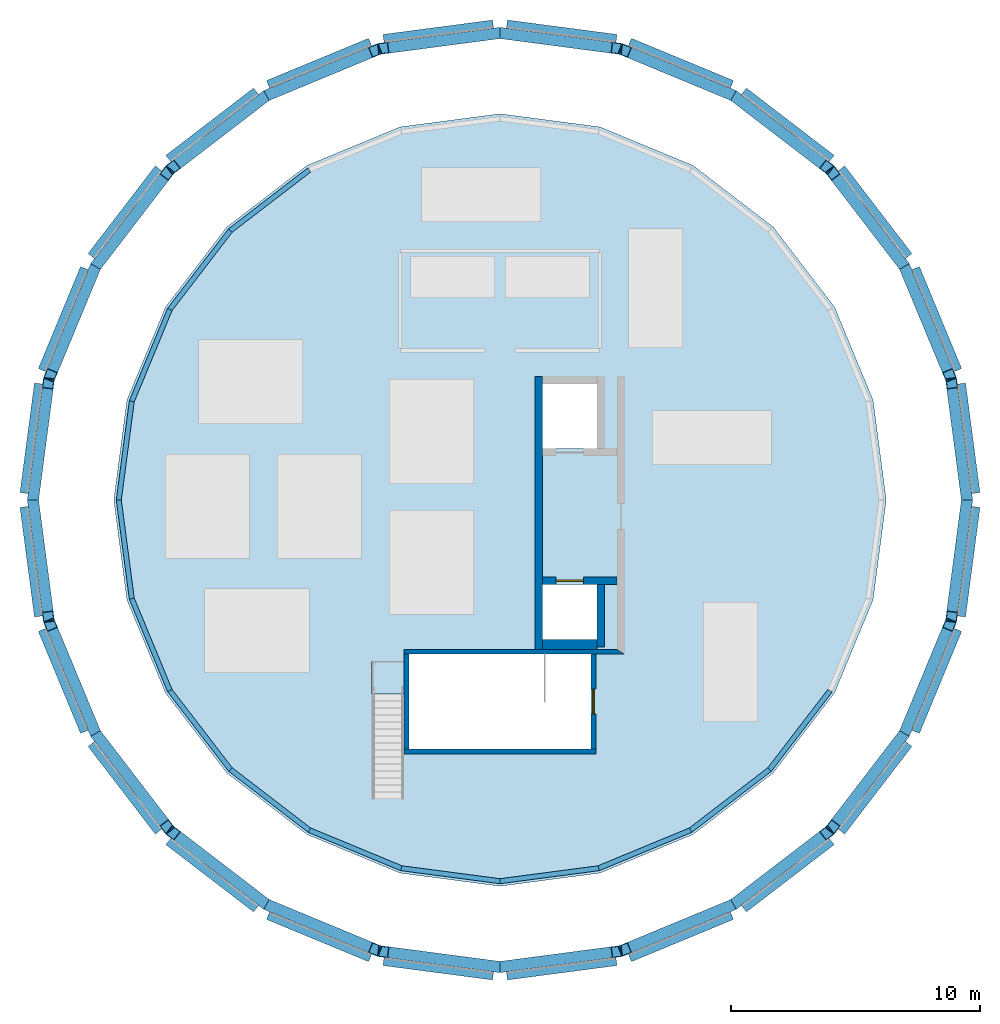
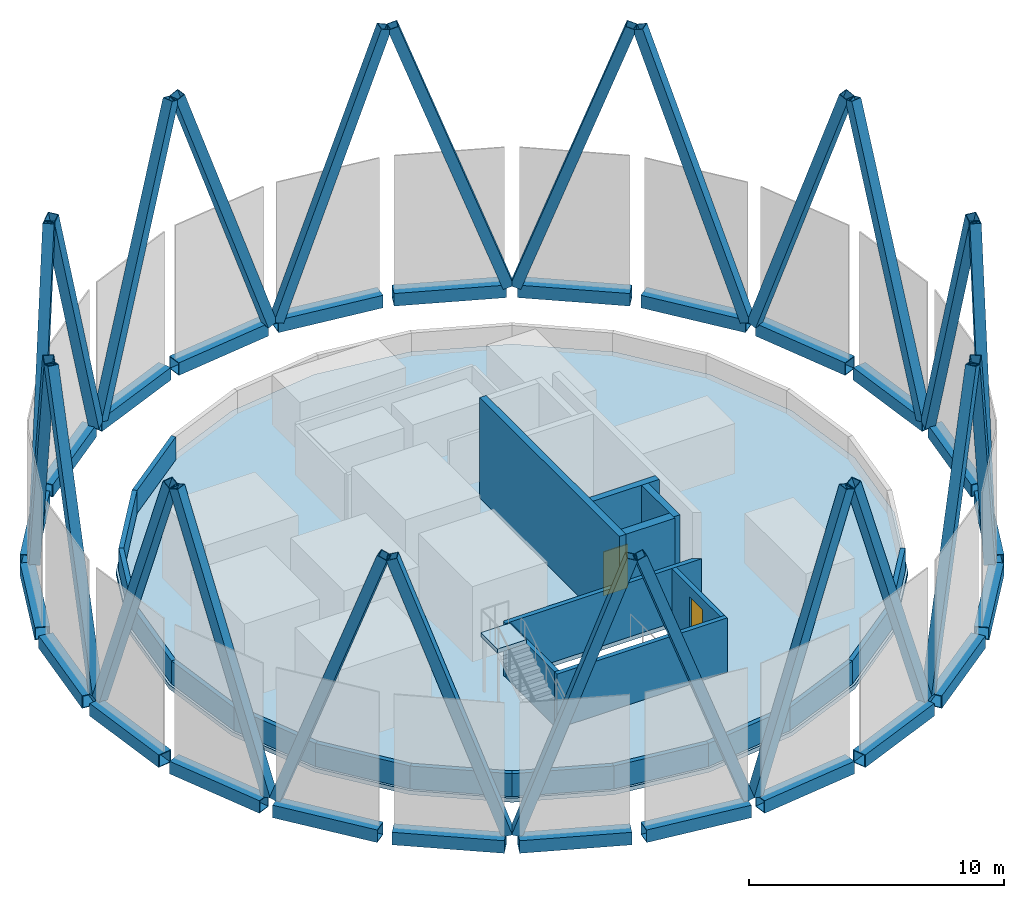
# One storey, part 1 of 4: 24 beams, 24 members, 22 walls, 2 doors, 2 slabs, 2 openings, 1 element without a shape of its own.
"""IFC4 building model written with IfcOpenShell, lengths in metres."""

from ifc_helpers import new_model, si_unit, direction, frame, frame_2d, origin, origin_2d, place, context, subcontext, project, spatial, polyline, rectangle, hollow_rectangle, outline, extrude, source, transform, mapped, material, layer, layer_set, material_profile, profile_set, type_object, element, fill, aggregate, save


model = new_model("IFC4")

# Units and contexts
model_context = context("Model", 3, precision=1e-05, world=origin(), true_north=direction((0.0, 1.0)))
body_context = subcontext(model_context, "Body", "Model", "MODEL_VIEW")
ifc_project = project(units=[si_unit("LENGTHUNIT", "METRE"), si_unit("AREAUNIT", "SQUARE_METRE"), si_unit("VOLUMEUNIT", "CUBIC_METRE"), si_unit("PLANEANGLEUNIT", "RADIAN"), si_unit("MASSUNIT", "GRAM", prefix="KILO")], contexts=[model_context])

# Site, building, storey
site_placement = place(None, origin())
site = spatial("IfcSite", under=ifc_project, at=site_placement, CompositionType="ELEMENT")
building_placement = place(site_placement, origin())
building = spatial("IfcBuilding", under=site, at=building_placement, Name="Triune Harvest Tower", CompositionType="ELEMENT")
storey_placement = place(building_placement, frame((0.0, 0.0, 299.699951171875)))
storey = spatial("IfcBuildingStorey", under=building, at=storey_placement, Name="RF", CompositionType="ELEMENT", Elevation=299.699951171875)

# Beams
ifc_material_1 = material(Name="Steel ASTM A572 Gr 50", Category="steel")
ifc_material_profile_1 = material_profile(ifc_material_1, hollow_rectangle(XDim=0.60009765625, YDim=0.60009765625, WallThickness=0.030029296875, at=origin_2d()), Name="Box 600x600x30")
ifc_profile_set_1 = profile_set([ifc_material_profile_1], Name="Steel ASTM A572 Gr 50")
beam_type = type_object("IfcBeamType", Name="CF-2 Crown frame ring beam Box 600x600x30", PredefinedType="BEAM", material=ifc_profile_set_1)
shared_shape_1 = source(origin(), body_context, "Body", "SweptSolid", [
    extrude(hollow_rectangle(XDim=0.60009765625, YDim=0.60009765625, WallThickness=0.030029296875, at=origin_2d()), origin(), (0.0, 0.0, 1.0), 4.434326171875),
])
for number, where, z_axis, x_axis, name in (
    (1, (18.9658203125, 0.260498046875, 0.300048828125), (-0.130537114439, 0.991443423375, 0.0), (-0.991443423375, -0.130537114439, 0.0), "CROWN FRAME bottom ring beam 1"),
    (2, (16.29443359375, 9.70849609375, 0.300048828125), (-0.608755125753, 0.79335817691, 0.0), (-0.79335817691, -0.608755125753, 0.0), "CROWN FRAME bottom ring beam 3"),
    (3, (13.2265625, 13.594970703125, 0.300048828125), (-0.79335817691, 0.608755125753, 0.0), (-0.608755125753, -0.79335817691, 0.0), "CROWN FRAME bottom ring beam 4"),
    (4, (4.656982421875, 18.386962890625, 0.300048828125), (-0.991443423375, 0.130537114439, 0.0), (-0.130537114439, -0.991443423375, 0.0), "CROWN FRAME bottom ring beam 6"),
    (5, (-0.260498046875, 18.9658203125, 0.300048828125), (-0.991443423375, -0.130537114439, 0.0), (0.130537114439, -0.991443423375, 0.0), "CROWN FRAME bottom ring beam 7"),
    (6, (-9.70849609375, 16.29443359375, 0.300048828125), (-0.79335817691, -0.608755125753, 0.0), (0.608755125753, -0.79335817691, 0.0), "CROWN FRAME bottom ring beam 9"),
    (7, (-13.594970703125, 13.2265625, 0.300048828125), (-0.608755125753, -0.79335817691, 0.0), (0.79335817691, -0.608755125753, 0.0), "CROWN FRAME bottom ring beam 10"),
    (8, (-18.386962890625, 4.656982421875, 0.300048828125), (-0.130537114439, -0.991443423375, 0.0), (0.991443423375, -0.130537114439, 0.0), "CROWN FRAME bottom ring beam 12"),
    (9, (-18.9658203125, -0.260498046875, 0.300048828125), (0.130537114439, -0.991443423375, 0.0), (0.991443423375, 0.130537114439, 0.0), "CROWN FRAME bottom ring beam 13"),
    (10, (-16.29443359375, -9.70849609375, 0.300048828125), (0.608755125753, -0.79335817691, 0.0), (0.79335817691, 0.608755125753, 0.0), "CROWN FRAME bottom ring beam 15"),
    (11, (-13.2265625, -13.594970703125, 0.300048828125), (0.79335817691, -0.608755125753, 0.0), (0.608755125753, 0.79335817691, 0.0), "CROWN FRAME bottom ring beam 16"),
    (12, (-4.656982421875, -18.386962890625, 0.300048828125), (0.991443423375, -0.130537114439, 0.0), (0.130537114439, 0.991443423375, 0.0), "CROWN FRAME bottom ring beam 18"),
    (13, (0.260498046875, -18.9658203125, 0.300048828125), (0.991443423375, 0.130537114439, 0.0), (-0.130537114439, 0.991443423375, 0.0), "CROWN FRAME bottom ring beam 19"),
    (14, (9.70849609375, -16.29443359375, 0.300048828125), (0.79335817691, 0.608755125753, 0.0), (-0.608755125753, 0.79335817691, 0.0), "CROWN FRAME bottom ring beam 21"),
    (15, (13.594970703125, -13.2265625, 0.300048828125), (0.608755125753, 0.79335817691, 0.0), (-0.79335817691, 0.608755125753, 0.0), "CROWN FRAME bottom ring beam 22"),
    (16, (18.386962890625, -4.656982421875, 0.300048828125), (0.130537114439, 0.991443423375, 0.0), (-0.991443423375, 0.130537114439, 0.0), "CROWN FRAME bottom ring beam 24"),
):
    element("IfcBeam", number, at=place(storey_placement, frame(where, z_axis=z_axis, x_axis=x_axis)), inside=storey, type_object=beam_type, Name=name, PredefinedType="BEAM", context=body_context, shape_type="MappedRepresentation", body=[
        mapped(shared_shape_1, transform((0.0, 0.0, 0.0), scale=1.0)),
    ])
shared_shape_2 = source(origin(), body_context, "Body", "SweptSolid", [
    extrude(hollow_rectangle(XDim=0.60009765625, YDim=0.60009765625, WallThickness=0.030029296875, at=origin_2d()), origin(), (0.0, 0.0, 1.0), 4.43408203125),
])
for number, where, z_axis, x_axis, name in (
    (17, (18.251953125, 5.160400390625, 0.300048828125), (-0.382659766273, 0.923889334973, 0.0), (-0.923889334973, -0.382659766273, 0.0), "CROWN FRAME bottom ring beam 2"),
    (18, (9.257080078125, 16.55517578125, 0.300048828125), (-0.923889334973, 0.382659766273, 0.0), (-0.382659766273, -0.923889334973, 0.0), "CROWN FRAME bottom ring beam 5"),
    (19, (-5.160400390625, 18.251953125, 0.300048828125), (-0.923889334973, -0.382659766273, 0.0), (0.382659766273, -0.923889334973, 0.0), "CROWN FRAME bottom ring beam 8"),
    (20, (-16.55517578125, 9.257080078125, 0.300048828125), (-0.382659766273, -0.923889334973, 0.0), (0.923889334973, -0.382659766273, 0.0), "CROWN FRAME bottom ring beam 11"),
    (21, (-18.251953125, -5.160400390625, 0.300048828125), (0.382659766273, -0.923889334973, 0.0), (0.923889334973, 0.382659766273, 0.0), "CROWN FRAME bottom ring beam 14"),
    (22, (-9.257080078125, -16.55517578125, 0.300048828125), (0.923889334973, -0.382659766273, 0.0), (0.382659766273, 0.923889334973, 0.0), "CROWN FRAME bottom ring beam 17"),
    (23, (5.160400390625, -18.251953125, 0.300048828125), (0.923889334973, 0.382659766273, 0.0), (-0.382659766273, 0.923889334973, 0.0), "CROWN FRAME bottom ring beam 20"),
    (24, (16.55517578125, -9.257080078125, 0.300048828125), (0.382659766273, 0.923889334973, 0.0), (-0.923889334973, 0.382659766273, 0.0), "CROWN FRAME bottom ring beam 23"),
):
    element("IfcBeam", number, at=place(storey_placement, frame(where, z_axis=z_axis, x_axis=x_axis)), inside=storey, type_object=beam_type, Name=name, PredefinedType="BEAM", context=body_context, shape_type="MappedRepresentation", body=[
        mapped(shared_shape_2, transform((0.0, 0.0, 0.0), scale=1.0)),
    ])

# Members
ifc_material_2 = material(Name="Steel ASTM A572 Gr 50", Category="steel")
ifc_material_profile_2 = material_profile(ifc_material_2, hollow_rectangle(XDim=0.449951171875, YDim=0.449951171875, WallThickness=0.02490234375, at=origin_2d()), Name="Box 450x450x25")
ifc_profile_set_2 = profile_set([ifc_material_profile_2], Name="Steel ASTM A572 Gr 50")
member_type = type_object("IfcMemberType", Name="CF-4 Crown frame strut Box 450x450x25", PredefinedType="STRUT", material=ifc_profile_set_2)
shared_shape_3 = source(origin(), body_context, "Body", "SweptSolid", [
    extrude(hollow_rectangle(XDim=0.449951171875, YDim=0.449951171875, WallThickness=0.02490234375, at=origin_2d()), origin(), (0.0, 0.0, 1.0), 13.588134765625),
])
for number, where, z_axis, x_axis, name in (
    (25, (18.72119140625, 0.1650390625, 0.60009765625), (-0.043804306871, 0.332718685251, 0.942008205476), (-0.991444452242, -0.130529299847, 0.0), "CROWN FRAME diagonal 1"),
    (26, (16.13037109375, 9.50341796875, 0.60009765625), (-0.204288672939, 0.266240066457, 0.942009747891), (-0.793359838557, -0.60875296021, 0.0), "CROWN FRAME diagonal 3"),
    (27, (13.12109375, 13.3544921875, 13.400146484375), (-0.266240066457, 0.204288672939, -0.942009747891), (-0.60875296021, -0.793359838557, 0.0), "CROWN FRAME diagonal 4"),
    (28, (4.68603515625, 18.1259765625, 13.400146484375), (-0.332718685251, 0.043804306871, -0.942008205476), (-0.130529299847, -0.991444452242, 0.0), "CROWN FRAME diagonal 6"),
    (29, (-0.1650390625, 18.72119140625, 0.60009765625), (-0.332718685251, -0.043804306871, 0.942008205476), (0.130529299847, -0.991444452242, 0.0), "CROWN FRAME diagonal 7"),
    (30, (-9.50341796875, 16.13037109375, 0.60009765625), (-0.266240066457, -0.204288672939, 0.942009747891), (0.60875296021, -0.793359838557, 0.0), "CROWN FRAME diagonal 9"),
    (31, (-13.3544921875, 13.12109375, 13.400146484375), (-0.204288672939, -0.266240066457, -0.942009747891), (0.793359838557, -0.60875296021, 0.0), "CROWN FRAME diagonal 10"),
    (32, (-18.1259765625, 4.68603515625, 13.400146484375), (-0.043804306871, -0.332718685251, -0.942008205476), (0.991444452242, -0.130529299847, 0.0), "CROWN FRAME diagonal 12"),
    (33, (-18.72119140625, -0.1650390625, 0.60009765625), (0.043804306871, -0.332718685251, 0.942008205476), (0.991444452242, 0.130529299847, 0.0), "CROWN FRAME diagonal 13"),
    (34, (-16.13037109375, -9.50341796875, 0.60009765625), (0.204288672939, -0.266240066457, 0.942009747891), (0.793359838557, 0.60875296021, 0.0), "CROWN FRAME diagonal 15"),
    (35, (-13.12109375, -13.3544921875, 13.400146484375), (0.266240066457, -0.204288672939, -0.942009747891), (0.60875296021, 0.793359838557, 0.0), "CROWN FRAME diagonal 16"),
    (36, (-4.68603515625, -18.1259765625, 13.400146484375), (0.332718685251, -0.043804306871, -0.942008205476), (0.130529299847, 0.991444452242, 0.0), "CROWN FRAME diagonal 18"),
    (37, (0.1650390625, -18.72119140625, 0.60009765625), (0.332718685251, 0.043804306871, 0.942008205476), (-0.130529299847, 0.991444452242, 0.0), "CROWN FRAME diagonal 19"),
    (38, (9.50341796875, -16.13037109375, 0.60009765625), (0.266240066457, 0.204288672939, 0.942009747891), (-0.60875296021, 0.793359838557, 0.0), "CROWN FRAME diagonal 21"),
    (39, (13.3544921875, -13.12109375, 13.400146484375), (0.204288672939, 0.266240066457, -0.942009747891), (-0.793359838557, 0.60875296021, 0.0), "CROWN FRAME diagonal 22"),
    (40, (18.1259765625, -4.68603515625, 13.400146484375), (0.043804306871, 0.332718685251, -0.942008205476), (-0.991444452242, 0.130529299847, 0.0), "CROWN FRAME diagonal 24"),
):
    element("IfcMember", number, at=place(storey_placement, frame(where, z_axis=z_axis, x_axis=x_axis)), inside=storey, type_object=member_type, Name=name, PredefinedType="STRUT", context=body_context, shape_type="MappedRepresentation", body=[
        mapped(shared_shape_3, transform((0.0, 0.0, 0.0), scale=1.0)),
    ])
shared_shape_4 = source(origin(), body_context, "Body", "SweptSolid", [
    extrude(hollow_rectangle(XDim=0.449951171875, YDim=0.449951171875, WallThickness=0.02490234375, at=origin_2d()), origin(), (0.0, 0.0, 1.0), 13.587890625),
])
for number, where, z_axis, x_axis, name in (
    (41, (18.04052734375, 5.0048828125, 13.400146484375), (-0.128430994403, 0.310027533356, -0.942012955451), (-0.923865429449, -0.382717478395, 0.0), "CROWN FRAME diagonal 2"),
    (42, (9.217529296875, 16.29541015625, 0.60009765625), (-0.310027533356, 0.128430994403, 0.942012955451), (-0.382717478395, -0.923865429449, 0.0), "CROWN FRAME diagonal 5"),
    (43, (-5.0048828125, 18.04052734375, 13.400146484375), (-0.310027533356, -0.128430994403, -0.942012955451), (0.382717478395, -0.923865429449, 0.0), "CROWN FRAME diagonal 8"),
    (44, (-16.29541015625, 9.217529296875, 0.60009765625), (-0.128430994403, -0.310027533356, 0.942012955451), (0.923865429449, -0.382717478395, 0.0), "CROWN FRAME diagonal 11"),
    (45, (-18.04052734375, -5.0048828125, 13.400146484375), (0.128430994403, -0.310027533356, -0.942012955451), (0.923865429449, 0.382717478395, 0.0), "CROWN FRAME diagonal 14"),
    (46, (-9.217529296875, -16.29541015625, 0.60009765625), (0.310027533356, -0.128430994403, 0.942012955451), (0.382717478395, 0.923865429449, 0.0), "CROWN FRAME diagonal 17"),
    (47, (5.0048828125, -18.04052734375, 13.400146484375), (0.310027533356, 0.128430994403, -0.942012955451), (-0.382717478395, 0.923865429449, 0.0), "CROWN FRAME diagonal 20"),
    (48, (16.29541015625, -9.217529296875, 0.60009765625), (0.128430994403, 0.310027533356, 0.942012955451), (-0.923865429449, 0.382717478395, 0.0), "CROWN FRAME diagonal 23"),
):
    element("IfcMember", number, at=place(storey_placement, frame(where, z_axis=z_axis, x_axis=x_axis)), inside=storey, type_object=member_type, Name=name, PredefinedType="STRUT", context=body_context, shape_type="MappedRepresentation", body=[
        mapped(shared_shape_4, transform((0.0, 0.0, 0.0), scale=1.0)),
    ])

# Slab
ifc_material_3 = material(Name="Concrete 40 MPa", Category="concrete")
ifc_layer_1 = layer(ifc_material_3, 0.199951171875)
ifc_layer_set_1 = layer_set([ifc_layer_1], Name="Concrete 40 MPa")
slab_type_1 = type_object("IfcSlabType", Name="RR-1 roof slab 200", PredefinedType="ROOF", material=ifc_layer_set_1)
slab_1_placement = place(storey_placement, frame((0.0, 0.0, -0.199951171875)))
element("IfcSlab", 49, at=slab_1_placement, inside=storey, type_object=slab_type_1, Name="Crown plant roof slab", PredefinedType="ROOF", context=body_context, shape_type="SweptSolid", body=[
    extrude(outline(polyline([(15.5, 0.0), (14.971923828125, 4.01171875), (13.42333984375, 7.75), (10.960205078125, 10.960205078125), (7.75, 13.42333984375), (4.01171875, 14.971923828125), (0.0, 15.5), (-4.01171875, 14.971923828125), (-7.75, 13.42333984375), (-10.960205078125, 10.960205078125), (-13.42333984375, 7.75), (-14.971923828125, 4.01171875), (-15.5, 0.0), (-14.971923828125, -4.01171875), (-13.42333984375, -7.75), (-10.960205078125, -10.960205078125), (-7.75, -13.42333984375), (-4.01171875, -14.971923828125), (0.0, -15.5), (4.01171875, -14.971923828125), (7.75, -13.42333984375), (10.960205078125, -10.960205078125), (13.42333984375, -7.75), (14.971923828125, -4.01171875), (15.5, 0.0)]), holes=[polyline([(-3.64990234375, -9.989990234375), (3.64990234375, -9.989990234375), (3.64990234375, -6.18994140625), (-3.64990234375, -6.18994140625), (-3.64990234375, -9.989990234375)]), polyline([(3.89990234375, 2.06005859375), (3.89990234375, 4.659912109375), (1.699951171875, 4.659912109375), (1.699951171875, 2.06005859375), (3.89990234375, 2.06005859375)]), polyline([(3.89990234375, -5.590087890625), (3.89990234375, -3.389892578125), (1.699951171875, -3.389892578125), (1.699951171875, -5.590087890625), (3.89990234375, -5.590087890625)])]), origin(), (0.0, 0.0, 1.0), 0.199951171875),
])

# Stair, slab
ifc_material_4 = material(Name="Steel S355", Category="steel")
stair_type = type_object("IfcStairType", Name="Roof access stair 1300 steel", PredefinedType="STRAIGHT_RUN_STAIR", material=ifc_material_4)
stair_placement = place(storey_placement, origin())
stair = element("IfcStair", 50, at=stair_placement, inside=storey, type_object=stair_type, Name="Roof access stair RA-1", PredefinedType="STRAIGHT_RUN_STAIR")
ifc_material_5 = material(Name="Steel S355", Category="steel")
ifc_layer_2 = layer(ifc_material_5, 0.199951171875)
ifc_layer_set_2 = layer_set([ifc_layer_2], Name="Steel S355")
slab_type_2 = type_object("IfcSlabType", Name="Roof access stair landing 200", PredefinedType="LANDING", material=ifc_layer_set_2)
slab_2_placement = place(storey_placement, frame((0.0, 0.0, 2.60009765625)))
slab_2 = element("IfcSlab", 51, at=slab_2_placement, type_object=slab_type_2, Name="RA-1 landing 1", PredefinedType="LANDING", context=body_context, shape_type="SweptSolid", body=[
    extrude(outline(polyline([(-5.14990234375, -7.7900390625), (-3.85009765625, -7.7900390625), (-3.85009765625, -6.489990234375), (-5.14990234375, -6.489990234375), (-5.14990234375, -7.7900390625)])), origin(), (0.0, 0.0, 1.0), 0.199951171875),
])
aggregate(stair, [slab_2])

# Walls
ifc_material_6 = material(Name="Concrete 40 MPa", Category="concrete")
ifc_layer_3 = layer(ifc_material_6, 0.199951171875)
ifc_layer_set_3 = layer_set([ifc_layer_3], Name="Concrete 40 MPa")
wall_type_1 = type_object("IfcWallType", Name="PA-1 parapet 200", PredefinedType="PARAPET", material=ifc_layer_set_3)
wall_1_placement = place(storey_placement, origin())
element("IfcWall", 52, at=wall_1_placement, inside=storey, type_object=wall_type_1, Name="Parapet rf 9", PredefinedType="PARAPET", context=body_context, shape_type="SweptSolid", body=[
    extrude(outline(polyline([(-7.69970703125, 13.336181640625), (-10.888916015625, 10.888916015625), (-10.74609375, 10.74609375), (-7.5986328125, 13.161376953125), (-7.69970703125, 13.336181640625)])), origin(), (0.0, 0.0, 1.0), 1.10009765625),
])
wall_2_placement = place(storey_placement, origin())
element("IfcWall", 53, at=wall_2_placement, inside=storey, type_object=wall_type_1, Name="Parapet rf 10", PredefinedType="PARAPET", context=body_context, shape_type="SweptSolid", body=[
    extrude(outline(polyline([(-10.888916015625, 10.888916015625), (-13.336181640625, 7.69970703125), (-13.161376953125, 7.5986328125), (-10.74609375, 10.74609375), (-10.888916015625, 10.888916015625)])), origin(), (0.0, 0.0, 1.0), 1.10009765625),
])
wall_3_placement = place(storey_placement, origin())
element("IfcWall", 54, at=wall_3_placement, inside=storey, type_object=wall_type_1, Name="Parapet rf 11", PredefinedType="PARAPET", context=body_context, shape_type="SweptSolid", body=[
    extrude(outline(polyline([(-13.336181640625, 7.69970703125), (-14.87451171875, 3.985595703125), (-14.6796875, 3.933349609375), (-13.161376953125, 7.5986328125), (-13.336181640625, 7.69970703125)])), origin(), (0.0, 0.0, 1.0), 1.10009765625),
])
wall_4_placement = place(storey_placement, origin())
element("IfcWall", 55, at=wall_4_placement, inside=storey, type_object=wall_type_1, Name="Parapet rf 12", PredefinedType="PARAPET", context=body_context, shape_type="SweptSolid", body=[
    extrude(outline(polyline([(-14.87451171875, 3.985595703125), (-15.399169921875, 0.0), (-15.197509765625, 0.0), (-14.6796875, 3.933349609375), (-14.87451171875, 3.985595703125)])), origin(), (0.0, 0.0, 1.0), 1.10009765625),
])
wall_5_placement = place(storey_placement, origin())
element("IfcWall", 56, at=wall_5_placement, inside=storey, type_object=wall_type_1, Name="Parapet rf 13", PredefinedType="PARAPET", context=body_context, shape_type="SweptSolid", body=[
    extrude(outline(polyline([(-15.399169921875, 0.0), (-14.87451171875, -3.985595703125), (-14.6796875, -3.933349609375), (-15.197509765625, 0.0), (-15.399169921875, 0.0)])), origin(), (0.0, 0.0, 1.0), 1.10009765625),
])
wall_6_placement = place(storey_placement, origin())
element("IfcWall", 57, at=wall_6_placement, inside=storey, type_object=wall_type_1, Name="Parapet rf 14", PredefinedType="PARAPET", context=body_context, shape_type="SweptSolid", body=[
    extrude(outline(polyline([(-14.87451171875, -3.985595703125), (-13.336181640625, -7.69970703125), (-13.161376953125, -7.5986328125), (-14.6796875, -3.933349609375), (-14.87451171875, -3.985595703125)])), origin(), (0.0, 0.0, 1.0), 1.10009765625),
])
wall_7_placement = place(storey_placement, origin())
element("IfcWall", 58, at=wall_7_placement, inside=storey, type_object=wall_type_1, Name="Parapet rf 15", PredefinedType="PARAPET", context=body_context, shape_type="SweptSolid", body=[
    extrude(outline(polyline([(-13.336181640625, -7.69970703125), (-10.888916015625, -10.888916015625), (-10.74609375, -10.74609375), (-13.161376953125, -7.5986328125), (-13.336181640625, -7.69970703125)])), origin(), (0.0, 0.0, 1.0), 1.10009765625),
])
wall_8_placement = place(storey_placement, origin())
element("IfcWall", 59, at=wall_8_placement, inside=storey, type_object=wall_type_1, Name="Parapet rf 16", PredefinedType="PARAPET", context=body_context, shape_type="SweptSolid", body=[
    extrude(outline(polyline([(-10.888916015625, -10.888916015625), (-7.69970703125, -13.336181640625), (-7.5986328125, -13.161376953125), (-10.74609375, -10.74609375), (-10.888916015625, -10.888916015625)])), origin(), (0.0, 0.0, 1.0), 1.10009765625),
])
wall_9_placement = place(storey_placement, origin())
element("IfcWall", 60, at=wall_9_placement, inside=storey, type_object=wall_type_1, Name="Parapet rf 17", PredefinedType="PARAPET", context=body_context, shape_type="SweptSolid", body=[
    extrude(outline(polyline([(-7.69970703125, -13.336181640625), (-3.985595703125, -14.87451171875), (-3.933349609375, -14.6796875), (-7.5986328125, -13.161376953125), (-7.69970703125, -13.336181640625)])), origin(), (0.0, 0.0, 1.0), 1.10009765625),
])
wall_10_placement = place(storey_placement, origin())
element("IfcWall", 61, at=wall_10_placement, inside=storey, type_object=wall_type_1, Name="Parapet rf 18", PredefinedType="PARAPET", context=body_context, shape_type="SweptSolid", body=[
    extrude(outline(polyline([(-3.985595703125, -14.87451171875), (0.0, -15.399169921875), (0.0, -15.197509765625), (-3.933349609375, -14.6796875), (-3.985595703125, -14.87451171875)])), origin(), (0.0, 0.0, 1.0), 1.10009765625),
])
wall_11_placement = place(storey_placement, origin())
element("IfcWall", 62, at=wall_11_placement, inside=storey, type_object=wall_type_1, Name="Parapet rf 19", PredefinedType="PARAPET", context=body_context, shape_type="SweptSolid", body=[
    extrude(outline(polyline([(0.0, -15.399169921875), (3.985595703125, -14.87451171875), (3.933349609375, -14.6796875), (0.0, -15.197509765625), (0.0, -15.399169921875)])), origin(), (0.0, 0.0, 1.0), 1.10009765625),
])
wall_12_placement = place(storey_placement, origin())
element("IfcWall", 63, at=wall_12_placement, inside=storey, type_object=wall_type_1, Name="Parapet rf 20", PredefinedType="PARAPET", context=body_context, shape_type="SweptSolid", body=[
    extrude(outline(polyline([(3.985595703125, -14.87451171875), (7.69970703125, -13.336181640625), (7.5986328125, -13.161376953125), (3.933349609375, -14.6796875), (3.985595703125, -14.87451171875)])), origin(), (0.0, 0.0, 1.0), 1.10009765625),
])
wall_13_placement = place(storey_placement, origin())
element("IfcWall", 64, at=wall_13_placement, inside=storey, type_object=wall_type_1, Name="Parapet rf 21", PredefinedType="PARAPET", context=body_context, shape_type="SweptSolid", body=[
    extrude(outline(polyline([(7.69970703125, -13.336181640625), (10.888916015625, -10.888916015625), (10.74609375, -10.74609375), (7.5986328125, -13.161376953125), (7.69970703125, -13.336181640625)])), origin(), (0.0, 0.0, 1.0), 1.10009765625),
])
wall_14_placement = place(storey_placement, origin())
element("IfcWall", 65, at=wall_14_placement, inside=storey, type_object=wall_type_1, Name="Parapet rf 22", PredefinedType="PARAPET", context=body_context, shape_type="SweptSolid", body=[
    extrude(outline(polyline([(10.888916015625, -10.888916015625), (13.336181640625, -7.69970703125), (13.161376953125, -7.5986328125), (10.74609375, -10.74609375), (10.888916015625, -10.888916015625)])), origin(), (0.0, 0.0, 1.0), 1.10009765625),
])
ifc_material_7 = material(Name="Concrete 40 MPa", Category="concrete")
ifc_layer_4 = layer(ifc_material_7, 0.199951171875)
ifc_layer_set_4 = layer_set([ifc_layer_4], Name="Concrete 40 MPa")
wall_type_2 = type_object("IfcWallType", Name="RW-1 stair head wall 200", PredefinedType="SOLIDWALL", material=ifc_layer_set_4)
wall_15_placement = place(storey_placement, frame((-3.85009765625, -10.090087890625, 0.0), z_axis=(0.0, 0.0, 1.0), x_axis=(1.0, 0.0, 0.0)))
element("IfcWall", 66, at=wall_15_placement, inside=storey, type_object=wall_type_2, Name="Stair head wall south", PredefinedType="SOLIDWALL", context=body_context, shape_type="SweptSolid", body=[
    extrude(rectangle(XDim=7.7001953125, YDim=0.199951171875, at=frame_2d((3.85009765625, 0.0))), origin(), (0.0, 0.0, 1.0), 2.60009765625),
])
wall_16_placement = place(storey_placement, frame((-3.85009765625, -6.090087890625, 0.0), z_axis=(0.0, 0.0, 1.0), x_axis=(1.0, 0.0, 0.0)))
element("IfcWall", 67, at=wall_16_placement, inside=storey, type_object=wall_type_2, Name="Stair head wall north", PredefinedType="SOLIDWALL", context=body_context, shape_type="SweptSolid", body=[
    extrude(outline(polyline([(0.0, -0.10009765625), (8.85009765625, -0.10009765625), (8.550048828125, 0.10009765625), (0.0, 0.10009765625), (0.0, -0.10009765625)])), origin(), (0.0, 0.0, 1.0), 2.60009765625),
])
ifc_material_8 = material(Name="Concrete 70 MPa", Category="concrete")
ifc_layer_5 = layer(ifc_material_8, 0.300048828125)
ifc_layer_set_5 = layer_set([ifc_layer_5], Name="Concrete 70 MPa")
wall_type_3 = type_object("IfcWallType", Name="RW-2 lift head wall 300", PredefinedType="SOLIDWALL", material=ifc_layer_set_5)
wall_17_placement = place(storey_placement, frame((1.550048828125, -5.989990234375, 0.0), z_axis=(0.0, 0.0, 1.0), x_axis=(0.0, 1.0, 0.0)))
element("IfcWall", 68, at=wall_17_placement, inside=storey, type_object=wall_type_3, Name="Lift head wall west", PredefinedType="SOLIDWALL", context=body_context, shape_type="SweptSolid", body=[
    extrude(rectangle(XDim=10.949951171875, YDim=0.300048828125, at=frame_2d((5.47509765625, 0.0))), origin(), (0.0, 0.0, 1.0), 4.800048828125),
])
wall_18_placement = place(storey_placement, frame((4.050048828125, -5.889892578125, 0.0), z_axis=(0.0, 0.0, 1.0), x_axis=(0.0, 1.0, 0.0)))
element("IfcWall", 69, at=wall_18_placement, inside=storey, type_object=wall_type_3, Name="Lift head wall FF-2 east", PredefinedType="SOLIDWALL", context=body_context, shape_type="SweptSolid", body=[
    extrude(rectangle(XDim=2.5, YDim=0.300048828125, at=frame_2d((1.25, 0.0))), origin(), (0.0, 0.0, 1.0), 4.800048828125),
])
ifc_material_9 = material(Name="Concrete 70 MPa", Category="concrete")
ifc_layer_6 = layer(ifc_material_9, 0.39990234375)
ifc_layer_set_6 = layer_set([ifc_layer_6], Name="Concrete 70 MPa")
wall_type_4 = type_object("IfcWallType", Name="RW-3 lift head wall 400", PredefinedType="SOLIDWALL", material=ifc_layer_set_6)
wall_19_placement = place(storey_placement, frame((1.699951171875, -5.7900390625, 0.0), z_axis=(0.0, 0.0, 1.0), x_axis=(1.0, 0.0, 0.0)))
element("IfcWall", 70, at=wall_19_placement, inside=storey, type_object=wall_type_4, Name="Lift head wall FF-2 south", PredefinedType="SOLIDWALL", context=body_context, shape_type="SweptSolid", body=[
    extrude(rectangle(XDim=2.199951171875, YDim=0.39990234375, at=frame_2d((1.10009765625, 0.0))), origin(), (0.0, 0.0, 1.0), 4.800048828125),
])
shared_shape_5 = source(origin(), body_context, "Body", "SweptSolid", [
    extrude(rectangle(XDim=3.800048828125, YDim=0.199951171875, at=frame_2d((1.89990234375, 0.0))), origin(), (0.0, 0.0, 1.0), 2.60009765625),
])
wall_20_placement = place(storey_placement, frame((-3.75, -9.989990234375, 0.0), z_axis=(0.0, 0.0, 1.0), x_axis=(0.0, 1.0, 0.0)))
element("IfcWall", 71, at=wall_20_placement, inside=storey, type_object=wall_type_2, Name="Stair head wall west", PredefinedType="SOLIDWALL", context=body_context, shape_type="MappedRepresentation", body=[
    mapped(shared_shape_5, transform((0.0, 0.0, 0.0), scale=1.0)),
])

# Wall, opening, door
wall_21_placement = place(storey_placement, frame((3.75, -6.18994140625, 0.0), z_axis=(0.0, 0.0, 1.0), x_axis=(0.0, -1.0, 0.0)))
wall_21 = element("IfcWall", 72, at=wall_21_placement, inside=storey, type_object=wall_type_2, Name="Stair head wall east", PredefinedType="SOLIDWALL", context=body_context, shape_type="MappedRepresentation", body=[
    mapped(shared_shape_5, transform((0.0, 0.0, 0.0), scale=1.0)),
])
opening_1_placement = place(wall_21_placement, frame((1.39990234375, 0.0, 0.0)))
opening_1 = element("IfcOpeningElement", 73, at=opening_1_placement, cuts=wall_21, Name="Opening RF-E01", PredefinedType="OPENING", context=body_context, shape_type="SweptSolid", body=[
    extrude(rectangle(XDim=1.0, YDim=2.10009765625, at=frame_2d((0.5, 1.050048828125))), frame((0.0, 0.10986328125, 0.0), z_axis=(0.0, -1.0, 0.0), x_axis=(1.0, 0.0, 0.0)), (0.0, 0.0, 1.0), 0.219970703125),
])
ifc_material_10 = material(Name="Aluminium bronze anodised", Category="aluminium")
door_type_1 = type_object("IfcDoorType", Name="RD-1 roof access door 1000 x 2100", OperationType="SINGLE_SWING_LEFT", PredefinedType="DOOR", material=ifc_material_10)
door_1_placement = place(opening_1_placement, origin())
door_1 = element("IfcDoor", 74, at=door_1_placement, inside=storey, type_object=door_type_1, Name="Door RF-E01", OperationType="SINGLE_SWING_LEFT", OverallHeight=2.10009765625, OverallWidth=1.0, PredefinedType="DOOR", context=body_context, shape_type="SweptSolid", body=[
    extrude(rectangle(XDim=1.0, YDim=2.10009765625, at=frame_2d((0.5, 1.050048828125))), frame((0.0, 0.02490234375, 0.0), z_axis=(0.0, -1.0, 0.0), x_axis=(1.0, 0.0, 0.0)), (0.0, 0.0, 1.0), 0.050048828125),
])
fill(opening_1, door_1)

shared_shape_6 = source(origin(), body_context, "Body", "SweptSolid", [
    extrude(rectangle(XDim=3.0, YDim=0.300048828125, at=frame_2d((1.5, 0.0))), origin(), (0.0, 0.0, 1.0), 4.800048828125),
])
wall_22_placement = place(storey_placement, frame((1.699951171875, -3.239990234375, 0.0), z_axis=(0.0, 0.0, 1.0), x_axis=(1.0, 0.0, 0.0)))
wall_22 = element("IfcWall", 75, at=wall_22_placement, inside=storey, type_object=wall_type_3, Name="Lift head wall FF-2 north", PredefinedType="SOLIDWALL", context=body_context, shape_type="MappedRepresentation", body=[
    mapped(shared_shape_6, transform((0.0, 0.0, 0.0), scale=1.0)),
])
opening_2_placement = place(wall_22_placement, frame((0.550048828125, 0.0, 0.0)))
opening_2 = element("IfcOpeningElement", 76, at=opening_2_placement, cuts=wall_22, Name="Opening LD-FF2-RF", PredefinedType="OPENING", context=body_context, shape_type="SweptSolid", body=[
    extrude(rectangle(XDim=1.10009765625, YDim=2.10009765625, at=frame_2d((0.550048828125, 1.050048828125))), frame((0.0, 0.16015625, 0.0), z_axis=(0.0, -1.0, 0.0), x_axis=(1.0, 0.0, 0.0)), (0.0, 0.0, 1.0), 0.320068359375),
])
ifc_material_11 = material(Name="Stainless steel AISI 304", Category="steel")
door_type_2 = type_object("IfcDoorType", Name="Landing door 1100 x 2100", OperationType="DOUBLE_DOOR_SLIDING", PredefinedType="DOOR", material=ifc_material_11)
door_2_placement = place(opening_2_placement, origin())
door_2 = element("IfcDoor", 77, at=door_2_placement, inside=storey, type_object=door_type_2, Name="Landing door FF-2 RF", OperationType="DOUBLE_DOOR_SLIDING", OverallHeight=2.10009765625, OverallWidth=1.10009765625, PredefinedType="DOOR", context=body_context, shape_type="SweptSolid", body=[
    extrude(rectangle(XDim=1.10009765625, YDim=2.10009765625, at=frame_2d((0.550048828125, 1.050048828125))), frame((0.0, 0.02490234375, 0.0), z_axis=(0.0, -1.0, 0.0), x_axis=(1.0, 0.0, 0.0)), (0.0, 0.0, 1.0), 0.050048828125),
])
fill(opening_2, door_2)

save(model, "model.ifc")
